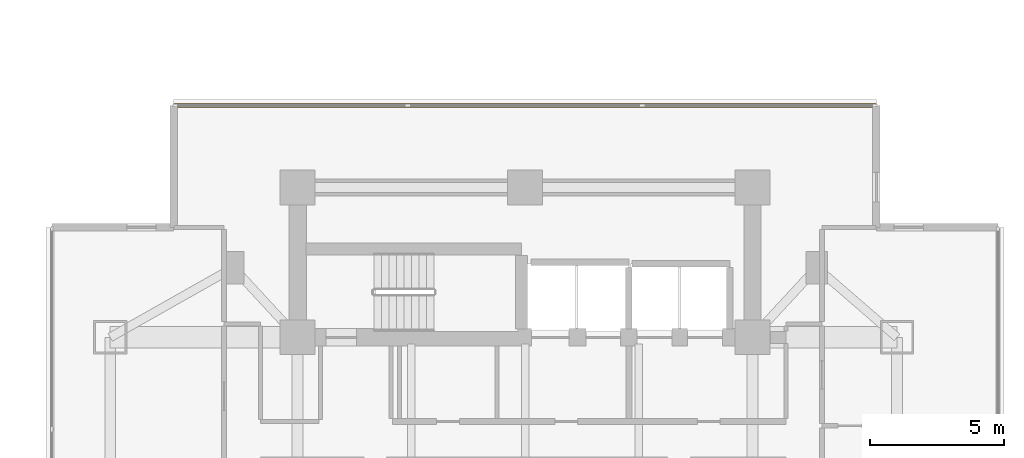
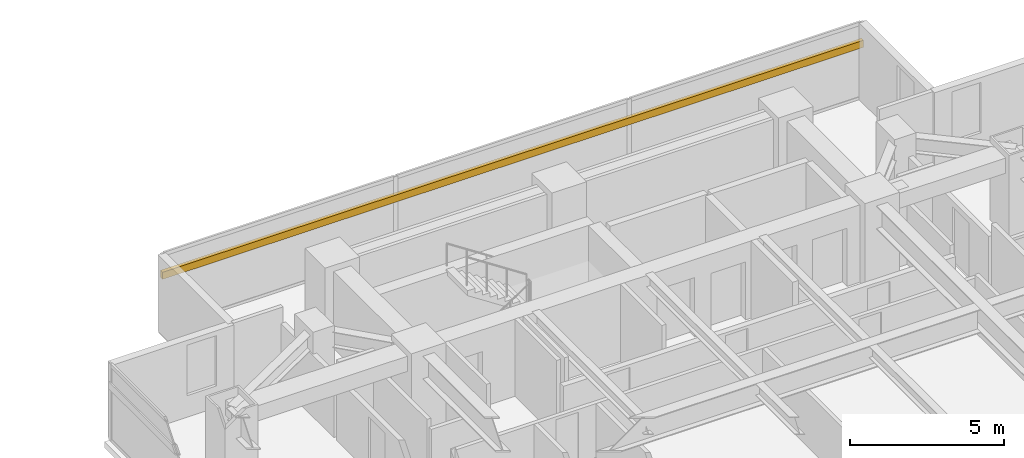
# One storey, part 27 of 27: 1 shading device.
"""IFC4 building model written with IfcOpenShell, lengths in metres."""

from ifc_helpers import new_model, si_unit, direction, frame, origin, origin_2d, place, context, subcontext, project, spatial, rectangle, extrude, material, material_profile, profile_set, type_object, element, save


model = new_model("IFC4")

# Units and contexts
model_context = context("Model", 3, precision=1e-05, world=origin(), true_north=direction((0.0, 1.0)))
body_context = subcontext(model_context, "Body", "Model", "MODEL_VIEW")
ifc_project = project(units=[si_unit("LENGTHUNIT", "METRE"), si_unit("AREAUNIT", "SQUARE_METRE"), si_unit("VOLUMEUNIT", "CUBIC_METRE"), si_unit("PLANEANGLEUNIT", "RADIAN"), si_unit("MASSUNIT", "GRAM", prefix="KILO")], contexts=[model_context])

# Site, building, storey
site_placement = place(None, origin())
site = spatial("IfcSite", under=ifc_project, at=site_placement, CompositionType="ELEMENT")
building_placement = place(site_placement, origin())
building = spatial("IfcBuilding", under=site, at=building_placement, Name="Mirazonda Arch Towers", CompositionType="ELEMENT")
storey_placement = place(building_placement, frame((0.0, 0.0, 55.39990234375)))
storey = spatial("IfcBuildingStorey", under=building, at=storey_placement, Name="L15", CompositionType="ELEMENT", Elevation=55.39990234375)

# Shading device
ifc_material = material(Name="Kiln-Fired Architectural Terracotta", Category="masonry")
ifc_material_profile = material_profile(ifc_material, rectangle(XDim=0.139892578125, YDim=0.280029296875, at=origin_2d()), Name="TERRA-BAG-140x280")
ifc_profile_set = profile_set([ifc_material_profile], Name="Kiln-Fired Architectural Terracotta")
shading_device_type = type_object("IfcShadingDeviceType", Name="BAGUETTE-3", PredefinedType="USERDEFINED", material=ifc_profile_set)
shading_device_placement = place(storey_placement, frame((63.367919921875, 43.859375, 2.18896484375), z_axis=(1.0, 0.0, 0.0), x_axis=(0.0, 1.0, 0.0)))
element("IfcShadingDevice", 1, at=shading_device_placement, inside=storey, type_object=shading_device_type, Name="L15 Glazed Terracotta Sun-Screen Baguette CW-L15-T2-N", ObjectType="BAGUETTE", PredefinedType="USERDEFINED", context=body_context, shape_type="SweptSolid", body=[
    extrude(rectangle(XDim=0.139892578125, YDim=0.280029296875, at=origin_2d()), origin(), (0.0, 0.0, 1.0), 26.26416015625),
])

save(model, "model.ifc")
